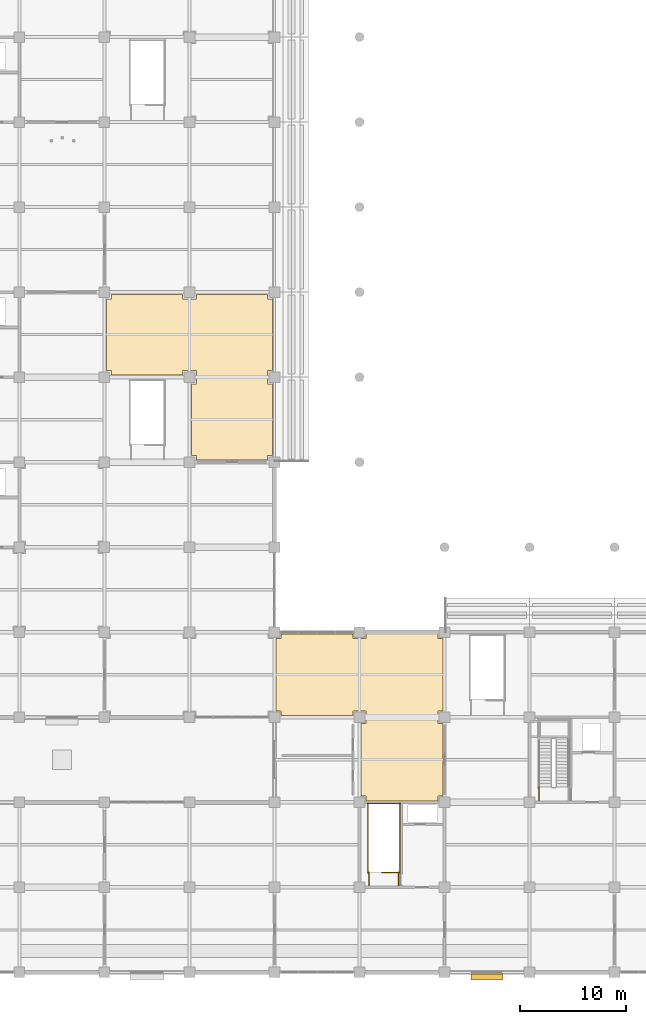
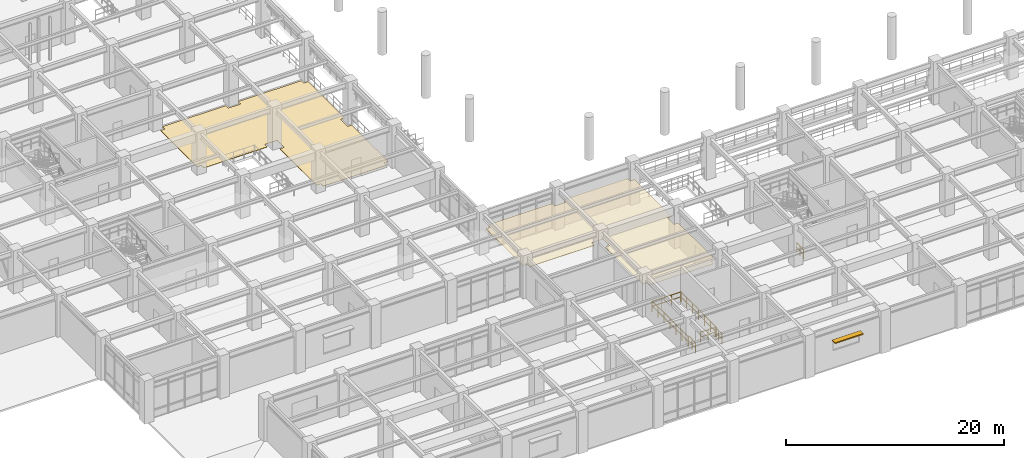
# One storey, part 99 of 117: 7 railings, 2 coverings, 1 shading device.
"""IFC4 building model written with IfcOpenShell, lengths in metres."""

from ifc_helpers import new_model, si_unit, direction, frame, origin, origin_2d, place, context, subcontext, project, spatial, polyline, rectangle, circle, outline, extrude, material, layer, layer_set, type_object, element, save


model = new_model("IFC4")

# Units and contexts
model_context = context("Model", 3, precision=1e-05, world=origin(), true_north=direction((0.0, 1.0)))
body_context = subcontext(model_context, "Body", "Model", "MODEL_VIEW")
ifc_project = project(units=[si_unit("LENGTHUNIT", "METRE"), si_unit("AREAUNIT", "SQUARE_METRE"), si_unit("VOLUMEUNIT", "CUBIC_METRE"), si_unit("PLANEANGLEUNIT", "RADIAN"), si_unit("MASSUNIT", "GRAM", prefix="KILO")], contexts=[model_context])

# Site, building, storey
site_placement = place(None, origin())
site = spatial("IfcSite", under=ifc_project, at=site_placement, CompositionType="ELEMENT")
building_placement = place(site_placement, origin())
building = spatial("IfcBuilding", under=site, at=building_placement, Name="Haebicheon Civic Stadium", CompositionType="ELEMENT")
storey_placement = place(building_placement, frame((0.0, 0.0, 4.800048828125)))
storey = spatial("IfcBuildingStorey", under=building, at=storey_placement, Name="L02", CompositionType="ELEMENT", Elevation=4.800048828125)

# Coverings
ifc_material_1 = material(Name="Perforated mineral-fibre acoustic board", Category="gypsum")
ifc_layer_1 = layer(ifc_material_1, 0.0400390625, Name="Perforated mineral-fibre acoustic board")
ifc_layer_set_1 = layer_set([ifc_layer_1], Name="Perforated mineral-fibre acoustic board")
covering_type_1 = type_object("IfcCoveringType", Name="COV-CLG-AC", PredefinedType="CEILING", material=ifc_layer_set_1)
covering_1_placement = place(storey_placement, frame((0.0, 0.0, 2.81005859375)))
element("IfcCovering", 1, at=covering_1_placement, inside=storey, type_object=covering_type_1, material=ifc_layer_set_1, Name="L02 Main Spectator Concourse acoustic ceiling", PredefinedType="CEILING", context=body_context, shape_type="SweptSolid", body=[
    extrude(outline(polyline([(72.594970703125, 16.14501953125), (72.594970703125, 16.594970703125), (72.14501953125, 16.594970703125), (72.14501953125, 23.405029296875), (72.594970703125, 23.405029296875), (72.594970703125, 24.594970703125), (71.405029296875, 24.594970703125), (71.405029296875, 24.14501953125), (64.594970703125, 24.14501953125), (64.594970703125, 24.594970703125), (64.14501953125, 24.594970703125), (64.14501953125, 31.405029296875), (64.594970703125, 31.405029296875), (64.594970703125, 31.85498046875), (71.405029296875, 31.85498046875), (71.405029296875, 31.405029296875), (72.594970703125, 31.405029296875), (72.594970703125, 31.85498046875), (79.405029296875, 31.85498046875), (79.405029296875, 31.405029296875), (79.85498046875, 31.405029296875), (79.85498046875, 24.594970703125), (79.405029296875, 24.594970703125), (79.405029296875, 23.405029296875), (79.85498046875, 23.405029296875), (79.85498046875, 16.594970703125), (79.405029296875, 16.594970703125), (79.405029296875, 16.14501953125), (72.594970703125, 16.14501953125)])), origin(), (0.0, 0.0, 1.0), 0.039794921875),
])
ifc_material_2 = material(Name="Quartz epoxy resin mortar", Category="concrete")
ifc_layer_2 = layer(ifc_material_2, 0.030029296875, Name="Quartz epoxy resin mortar")
ifc_layer_set_2 = layer_set([ifc_layer_2], Name="Quartz epoxy resin mortar")
covering_type_2 = type_object("IfcCoveringType", Name="COV-FLR-EPX", PredefinedType="FLOORING", material=ifc_layer_set_2)
covering_2_placement = place(storey_placement, origin())
element("IfcCovering", 2, at=covering_2_placement, inside=storey, type_object=covering_type_2, material=ifc_layer_set_2, Name="L02 Food and Beverage Kiosk non-slip floor finish", PredefinedType="FLOORING", context=body_context, shape_type="SweptSolid", body=[
    extrude(outline(polyline([(56.64990234375, 48.199951171875), (56.64990234375, 48.64990234375), (56.199951171875, 48.64990234375), (56.199951171875, 55.35009765625), (56.64990234375, 55.35009765625), (56.64990234375, 56.64990234375), (55.35009765625, 56.64990234375), (55.35009765625, 56.199951171875), (48.64990234375, 56.199951171875), (48.64990234375, 56.64990234375), (48.199951171875, 56.64990234375), (48.199951171875, 63.35009765625), (48.64990234375, 63.35009765625), (48.64990234375, 63.800048828125), (55.35009765625, 63.800048828125), (55.35009765625, 63.35009765625), (56.64990234375, 63.35009765625), (56.64990234375, 63.800048828125), (63.35009765625, 63.800048828125), (63.35009765625, 63.35009765625), (63.800048828125, 63.35009765625), (63.800048828125, 56.64990234375), (63.35009765625, 56.64990234375), (63.35009765625, 55.35009765625), (63.800048828125, 55.35009765625), (63.800048828125, 48.64990234375), (63.35009765625, 48.64990234375), (63.35009765625, 48.199951171875), (56.64990234375, 48.199951171875)])), origin(), (0.0, 0.0, 1.0), 0.030029296875),
])

# Railings
ifc_material_3 = material(Name="Galvanised painted steel SM355", Category="steel")
railing_type = type_object("IfcRailingType", Name="RL-GRD-1150", PredefinedType="GUARDRAIL", material=ifc_material_3)
railing_1_placement = place(storey_placement, frame((88.889892578125, 16.159912109375, 0.0)))
element("IfcRailing", 3, at=railing_1_placement, inside=storey, type_object=railing_type, material=ifc_material_3, Name="L02 ST-06 stair guard 9", PredefinedType="GUARDRAIL", context=body_context, shape_type="SweptSolid", body=[
    extrude(circle(Radius=0.02392578125, at=origin_2d()), frame((0.0, 0.0, 1.1259765625), z_axis=(0.0, 1.0, 0.0), x_axis=(-1.0, 0.0, 0.0)), (0.0, 0.0, 1.0), 1.2900390625),
    extrude(circle(Radius=0.02392578125, at=origin_2d()), frame((0.0, 0.0, 0.574951171875), z_axis=(0.0, 1.0, 0.0), x_axis=(-1.0, 0.0, 0.0)), (0.0, 0.0, 1.0), 1.2900390625),
    extrude(circle(Radius=0.02099609375, at=origin_2d()), origin(), (0.0, 0.0, 1.0), 1.101806640625),
    extrude(circle(Radius=0.02099609375, at=origin_2d()), frame((0.0, 0.64501953125, 0.0)), (0.0, 0.0, 1.0), 1.101806640625),
    extrude(circle(Radius=0.02099609375, at=origin_2d()), frame((0.0, 1.2900390625, 0.0)), (0.0, 0.0, 1.0), 1.101806640625),
])
railing_2_placement = place(storey_placement, frame((75.739990234375, 9.39990234375, 0.0)))
element("IfcRailing", 4, at=railing_2_placement, inside=storey, type_object=railing_type, material=ifc_material_3, Name="L02 ST-16 top well guard 1", PredefinedType="GUARDRAIL", context=body_context, shape_type="SweptSolid", body=[
    extrude(circle(Radius=0.02392578125, at=origin_2d()), frame((0.0, 0.0, 1.1259765625), z_axis=(-1.0, 0.0, 0.0), x_axis=(0.0, -1.0, 0.0)), (0.0, 0.0, 1.0), 1.619873046875),
    extrude(circle(Radius=0.02392578125, at=origin_2d()), frame((0.0, 0.0, 0.574951171875), z_axis=(-1.0, 0.0, 0.0), x_axis=(0.0, -1.0, 0.0)), (0.0, 0.0, 1.0), 1.619873046875),
    extrude(circle(Radius=0.02099609375, at=origin_2d()), origin(), (0.0, 0.0, 1.0), 1.101806640625),
    extrude(circle(Radius=0.02099609375, at=origin_2d()), frame((-0.81005859375, 0.0, 0.0)), (0.0, 0.0, 1.0), 1.101806640625),
    extrude(circle(Radius=0.02099609375, at=origin_2d()), frame((-1.619873046875, 0.0, 0.0)), (0.0, 0.0, 1.0), 1.101806640625),
])
for number, where, name in (
    (5, (75.7900390625, 9.35009765625, 0.0), "L02 ST-16 top well guard 2"),
    (6, (72.7900390625, 9.35009765625, 0.0), "L02 ST-16 top well guard 3"),
):
    element("IfcRailing", number, at=place(storey_placement, frame(where)), inside=storey, type_object=railing_type, material=ifc_material_3, Name=name, PredefinedType="GUARDRAIL", context=body_context, shape_type="SweptSolid", body=[
        extrude(circle(Radius=0.02392578125, at=origin_2d()), frame((0.0, 0.0, 1.1259765625), z_axis=(0.0, 1.0, 0.0), x_axis=(-1.0, 0.0, 0.0)), (0.0, 0.0, 1.0), 6.58984375),
        extrude(circle(Radius=0.02392578125, at=origin_2d()), frame((0.0, 0.0, 0.574951171875), z_axis=(0.0, 1.0, 0.0), x_axis=(-1.0, 0.0, 0.0)), (0.0, 0.0, 1.0), 6.58984375),
        extrude(circle(Radius=0.02099609375, at=origin_2d()), origin(), (0.0, 0.0, 1.0), 1.101806640625),
        extrude(circle(Radius=0.02099609375, at=origin_2d()), frame((0.0, 1.098388671875, 0.0)), (0.0, 0.0, 1.0), 1.101806640625),
        extrude(circle(Radius=0.02099609375, at=origin_2d()), frame((0.0, 2.196533203125, 0.0)), (0.0, 0.0, 1.0), 1.101806640625),
        extrude(circle(Radius=0.02099609375, at=origin_2d()), frame((0.0, 3.294921875, 0.0)), (0.0, 0.0, 1.0), 1.101806640625),
        extrude(circle(Radius=0.02099609375, at=origin_2d()), frame((0.0, 4.393310546875, 0.0)), (0.0, 0.0, 1.0), 1.101806640625),
        extrude(circle(Radius=0.02099609375, at=origin_2d()), frame((0.0, 5.491455078125, 0.0)), (0.0, 0.0, 1.0), 1.101806640625),
        extrude(circle(Radius=0.02099609375, at=origin_2d()), frame((0.0, 6.58984375, 0.0)), (0.0, 0.0, 1.0), 1.101806640625),
    ])
railing_3_placement = place(storey_placement, frame((75.840087890625, 15.889892578125, 0.0)))
element("IfcRailing", 7, at=railing_3_placement, inside=storey, type_object=railing_type, material=ifc_material_3, Name="L02 ST-16 top well guard 4", PredefinedType="GUARDRAIL", context=body_context, shape_type="SweptSolid", body=[
    extrude(circle(Radius=0.02392578125, at=origin_2d()), frame((0.0, 0.0, 1.1259765625), z_axis=(-1.0, 0.0, 0.0), x_axis=(0.0, -1.0, 0.0)), (0.0, 0.0, 1.0), 3.10009765625),
    extrude(circle(Radius=0.02392578125, at=origin_2d()), frame((0.0, 0.0, 0.574951171875), z_axis=(-1.0, 0.0, 0.0), x_axis=(0.0, -1.0, 0.0)), (0.0, 0.0, 1.0), 3.10009765625),
    extrude(circle(Radius=0.02099609375, at=origin_2d()), origin(), (0.0, 0.0, 1.0), 1.101806640625),
    extrude(circle(Radius=0.02099609375, at=origin_2d()), frame((-1.033447265625, 0.0, 0.0)), (0.0, 0.0, 1.0), 1.101806640625),
    extrude(circle(Radius=0.02099609375, at=origin_2d()), frame((-2.066650390625, 0.0, 0.0)), (0.0, 0.0, 1.0), 1.101806640625),
    extrude(circle(Radius=0.02099609375, at=origin_2d()), frame((-3.10009765625, 0.0, 0.0)), (0.0, 0.0, 1.0), 1.101806640625),
])
for number, where, name in (
    (8, (75.68994140625, 8.159912109375, 0.0), "L02 ST-16 top well guard 5"),
    (9, (72.889892578125, 8.159912109375, 0.0), "L02 ST-16 top well guard 6"),
):
    element("IfcRailing", number, at=place(storey_placement, frame(where)), inside=storey, type_object=railing_type, material=ifc_material_3, Name=name, PredefinedType="GUARDRAIL", context=body_context, shape_type="SweptSolid", body=[
        extrude(circle(Radius=0.02392578125, at=origin_2d()), frame((0.0, 0.0, 1.1259765625), z_axis=(0.0, 1.0, 0.0), x_axis=(-1.0, 0.0, 0.0)), (0.0, 0.0, 1.0), 1.2900390625),
        extrude(circle(Radius=0.02392578125, at=origin_2d()), frame((0.0, 0.0, 0.574951171875), z_axis=(0.0, 1.0, 0.0), x_axis=(-1.0, 0.0, 0.0)), (0.0, 0.0, 1.0), 1.2900390625),
        extrude(circle(Radius=0.02099609375, at=origin_2d()), origin(), (0.0, 0.0, 1.0), 1.101806640625),
        extrude(circle(Radius=0.02099609375, at=origin_2d()), frame((0.0, 0.64501953125, 0.0)), (0.0, 0.0, 1.0), 1.101806640625),
        extrude(circle(Radius=0.02099609375, at=origin_2d()), frame((0.0, 1.2900390625, 0.0)), (0.0, 0.0, 1.0), 1.101806640625),
    ])

# Shading device
ifc_material_4 = material(Name="Anodised aluminium 6063-T6", Category="aluminium")
ifc_layer_3 = layer(ifc_material_4, 0.1201171875, Name="Anodised aluminium 6063-T6")
ifc_layer_set_3 = layer_set([ifc_layer_3], Name="Anodised aluminium 6063-T6")
shading_device_type = type_object("IfcShadingDeviceType", Name="SHD-ALU-LVR", PredefinedType="USERDEFINED", material=ifc_layer_set_3)
shading_device_placement = place(storey_placement, frame((84.0, -0.445068359375, 3.019775390625), z_axis=(0.0, 0.0, 1.0), x_axis=(1.0, 0.0, 0.0)))
element("IfcShadingDevice", 10, at=shading_device_placement, inside=storey, type_object=shading_device_type, material=ifc_layer_set_3, Name="L02 window sunshade louvre hood 17", ObjectType="LOUVRE", PredefinedType="USERDEFINED", context=body_context, shape_type="SweptSolid", body=[
    extrude(rectangle(XDim=3.0, YDim=0.550048828125, at=origin_2d()), origin(), (0.0, 0.0, 1.0), 0.1201171875),
])

save(model, "model.ifc")
